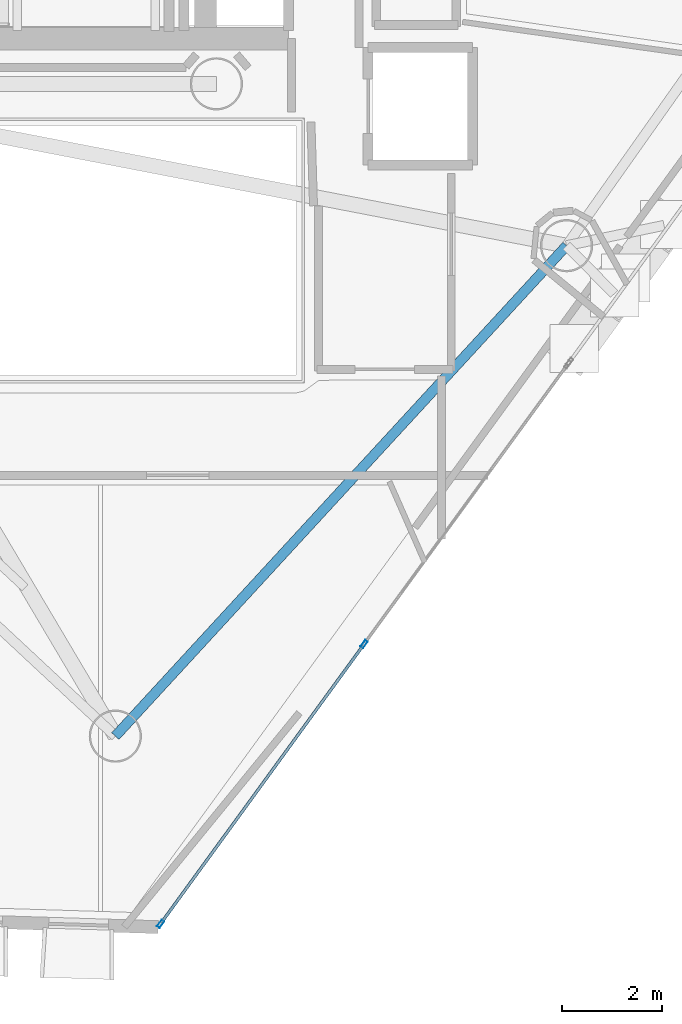
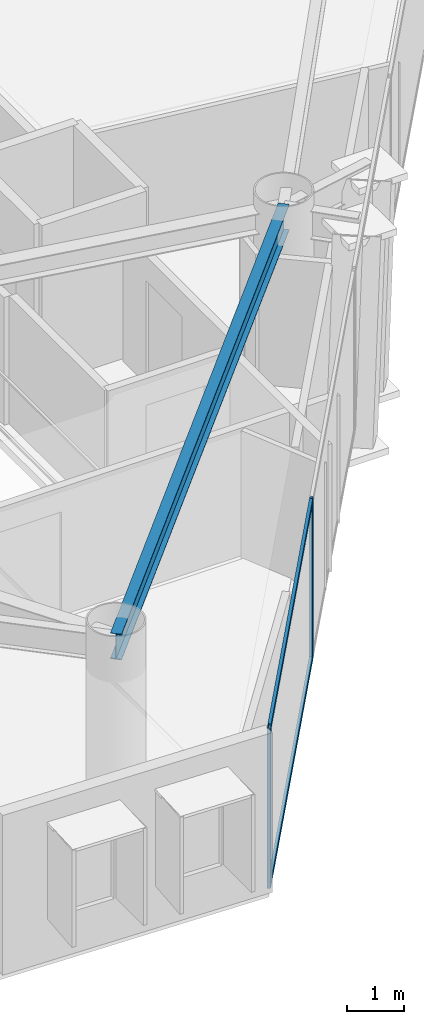
# One storey, part 4 of 21: 4 members, 1 beam, 1 element without a shape of its own.
"""IFC4 building model written with IfcOpenShell, lengths in metres."""

from ifc_helpers import new_model, si_unit, direction, frame, origin, origin_2d, place, context, subcontext, project, spatial, hollow_rectangle, i_section, extrude, material, layer, layer_set, material_profile, profile_set, type_object, element, aggregate, save


model = new_model("IFC4")

# Units and contexts
model_context = context("Model", 3, precision=1e-05, world=origin(), true_north=direction((0.0, 1.0)))
body_context = subcontext(model_context, "Body", "Model", "MODEL_VIEW")
ifc_project = project(units=[si_unit("LENGTHUNIT", "METRE"), si_unit("AREAUNIT", "SQUARE_METRE"), si_unit("VOLUMEUNIT", "CUBIC_METRE"), si_unit("PLANEANGLEUNIT", "RADIAN"), si_unit("MASSUNIT", "GRAM", prefix="KILO")], contexts=[model_context])

# Site, building, storey
site_placement = place(None, origin())
site = spatial("IfcSite", under=ifc_project, at=site_placement, CompositionType="ELEMENT")
building_placement = place(site_placement, origin())
building = spatial("IfcBuilding", under=site, at=building_placement, Name="Qianvela Tower", CompositionType="ELEMENT")
storey_placement = place(building_placement, frame((0.0, 0.0, 272.300048828125)))
storey = spatial("IfcBuildingStorey", under=building, at=storey_placement, Name="L70", CompositionType="ELEMENT", Elevation=272.300048828125)

# Beam
ifc_material_1 = material(Name="Steel Q355B", Category="steel")
ifc_material_profile_1 = material_profile(ifc_material_1, i_section(OverallWidth=0.199951171875, OverallDepth=0.550048828125, WebThickness=0.010009765625, FlangeThickness=0.01611328125, at=origin_2d()), Name="HN550x200x10x16")
ifc_profile_set_1 = profile_set([ifc_material_profile_1], Name="Steel Q355B")
beam_type = type_object("IfcBeamType", Name="BM-HN550-GIRD", PredefinedType="BEAM", material=ifc_profile_set_1)
beam_placement = place(storey_placement, frame((36.368896484375, 10.741943359375, 3.123046875), z_axis=(0.677042708154, 0.735943728376, 0.0), x_axis=(-0.735943728376, 0.677042708154, 0.0)))
element("IfcBeam", 1, at=beam_placement, inside=storey, type_object=beam_type, Name="L70 Perimeter Ring Spandrel Girder 5", PredefinedType="BEAM", context=body_context, shape_type="SweptSolid", body=[
    extrude(i_section(OverallWidth=0.199951171875, OverallDepth=0.550048828125, WebThickness=0.010009765625, FlangeThickness=0.01611328125, at=origin_2d()), origin(), (0.0, 0.0, 1.0), 13.392333984375),
])

# Curtain wall, members
ifc_material_2 = material(Name="Anodised Architectural Aluminium and Low-E Glass", Category="aluminium")
ifc_layer = layer(ifc_material_2, 0.159912109375)
ifc_layer_set = layer_set([ifc_layer], Name="Anodised Architectural Aluminium and Low-E Glass")
curtain_wall_type = type_object("IfcCurtainWallType", Name="CW-COLIV-Z56", PredefinedType="USERDEFINED", material=ifc_layer_set)
curtain_wall_placement = place(storey_placement, origin())
curtain_wall = element("IfcCurtainWall", 2, at=curtain_wall_placement, inside=storey, type_object=curtain_wall_type, Name="L70 CW-COLIV-Z56 Curtain Wall 06A", ObjectType="CURTAIN_WALL_SYSTEM", PredefinedType="USERDEFINED")
ifc_material_3 = material(Name="Anodised Architectural Aluminium 6063-T6", Category="aluminium")
ifc_material_profile_2 = material_profile(ifc_material_3, hollow_rectangle(XDim=0.06494140625, YDim=0.159912109375, WallThickness=0.0048828125, at=origin_2d()), Name="ALU-MULL-65x160")
ifc_profile_set_2 = profile_set([ifc_material_profile_2], Name="Anodised Architectural Aluminium 6063-T6")
member_type_1 = type_object("IfcMemberType", Name="CW-COLIV-Z56-MULL", PredefinedType="MULLION", material=ifc_profile_set_2)
member_1_placement = place(storey_placement, frame((37.27734375, 6.968994140625, 0.0), z_axis=(0.0, 0.0, 1.0), x_axis=(-0.808531427324, 0.588452998148, 0.0)))
member_1 = element("IfcMember", 3, at=member_1_placement, type_object=member_type_1, Name="CW-5 mullion 1", PredefinedType="MULLION", context=body_context, shape_type="SweptSolid", body=[
    extrude(hollow_rectangle(XDim=0.06494140625, YDim=0.159912109375, WallThickness=0.0048828125, at=origin_2d()), origin(), (0.0, 0.0, 1.0), 3.39990234375),
])
member_2_placement = place(storey_placement, frame((41.368408203125, 12.59033203125, 0.0), z_axis=(0.0, 0.0, 1.0), x_axis=(-0.808531427324, 0.588452998148, 0.0)))
member_2 = element("IfcMember", 4, at=member_2_placement, type_object=member_type_1, Name="CW-5 mullion 2", PredefinedType="MULLION", context=body_context, shape_type="SweptSolid", body=[
    extrude(hollow_rectangle(XDim=0.06494140625, YDim=0.159912109375, WallThickness=0.0048828125, at=origin_2d()), origin(), (0.0, 0.0, 1.0), 3.39990234375),
])
ifc_material_4 = material(Name="Anodised Architectural Aluminium 6063-T6", Category="aluminium")
ifc_material_profile_3 = material_profile(ifc_material_4, hollow_rectangle(XDim=0.06005859375, YDim=0.114990234375, WallThickness=0.00390625, at=origin_2d()), Name="ALU-TRAN-60x115")
ifc_profile_set_3 = profile_set([ifc_material_profile_3], Name="Anodised Architectural Aluminium 6063-T6")
member_type_2 = type_object("IfcMemberType", Name="CW-COLIV-Z56-TRAN", PredefinedType="USERDEFINED", material=ifc_profile_set_3)
member_3_placement = place(storey_placement, frame((37.29638671875, 6.995361328125, 0.030029296875), z_axis=(0.588464628219, 0.808522962776, 0.0), x_axis=(-0.808522962776, 0.588464628219, 0.0)))
member_3 = element("IfcMember", 5, at=member_3_placement, type_object=member_type_2, Name="CW-5 transom 1.1", ObjectType="TRANSOM", PredefinedType="USERDEFINED", context=body_context, shape_type="SweptSolid", body=[
    extrude(hollow_rectangle(XDim=0.06005859375, YDim=0.114990234375, WallThickness=0.00390625, at=origin_2d()), origin(), (0.0, 0.0, 1.0), 6.887451171875),
])
member_4_placement = place(storey_placement, frame((37.29638671875, 6.995361328125, 3.369873046875), z_axis=(0.588464628219, 0.808522962776, 0.0), x_axis=(-0.808522962776, 0.588464628219, 0.0)))
member_4 = element("IfcMember", 6, at=member_4_placement, type_object=member_type_2, Name="CW-5 transom 1.2", ObjectType="TRANSOM", PredefinedType="USERDEFINED", context=body_context, shape_type="SweptSolid", body=[
    extrude(hollow_rectangle(XDim=0.06005859375, YDim=0.114990234375, WallThickness=0.00390625, at=origin_2d()), origin(), (0.0, 0.0, 1.0), 6.887451171875),
])
aggregate(curtain_wall, [member_1, member_2, member_3, member_4])

save(model, "model.ifc")
